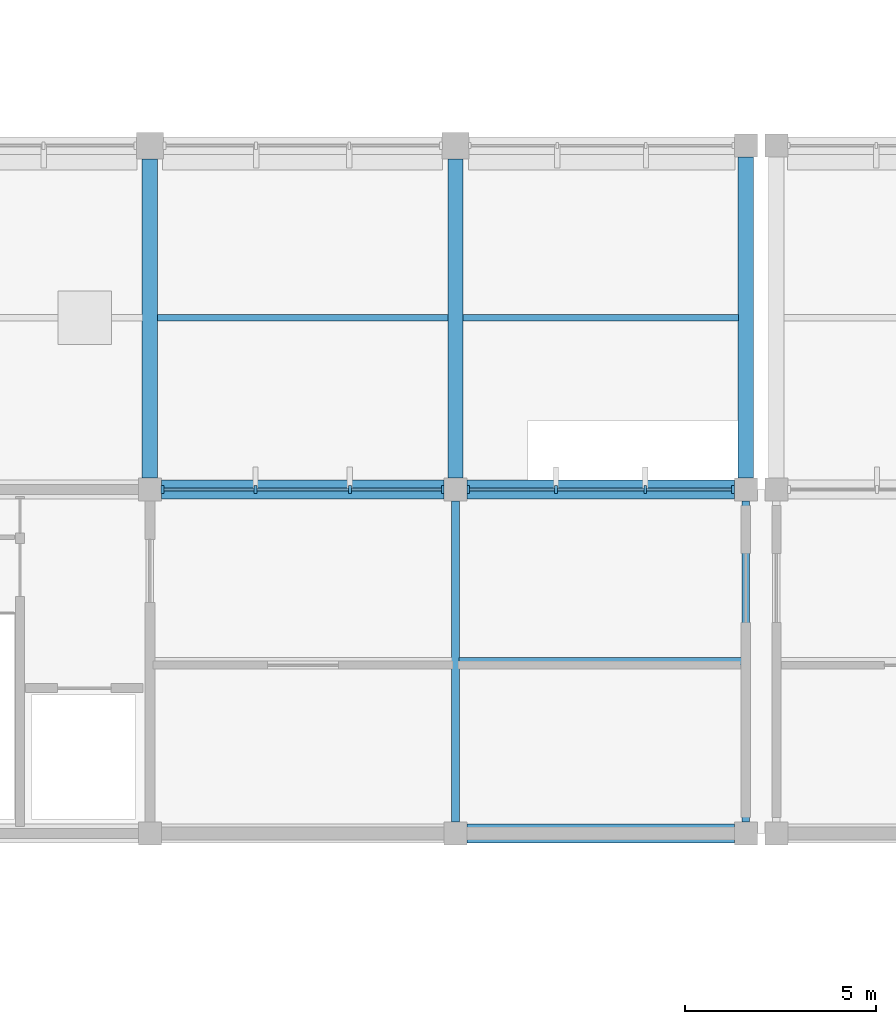
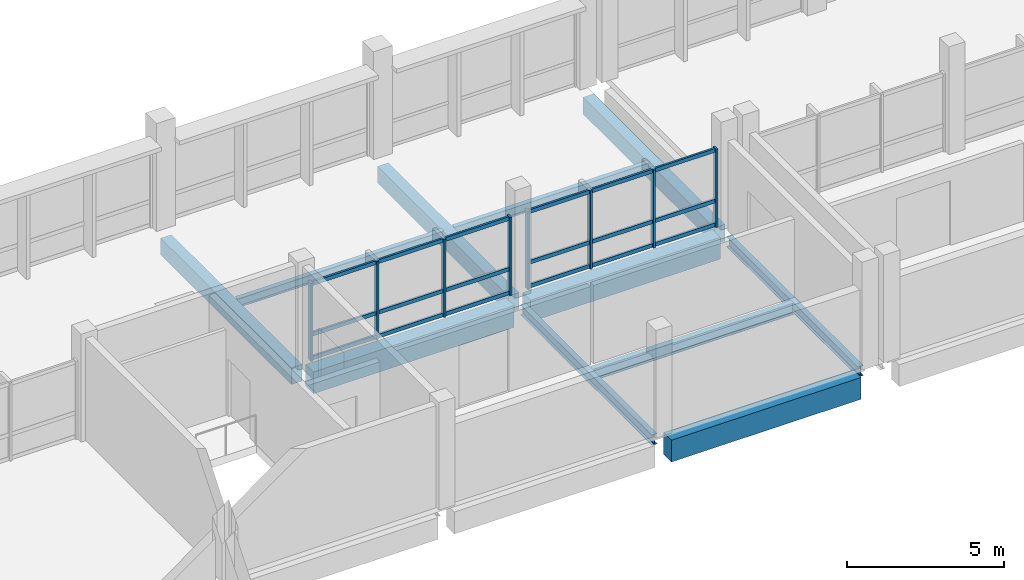
# One storey, part 6 of 70: 26 members, 11 beams, 2 elements without a shape of their own.
"""IFC4 building model written with IfcOpenShell, lengths in metres."""

from ifc_helpers import new_model, si_unit, direction, frame, origin, origin_2d, place, context, subcontext, project, spatial, rectangle, i_section, extrude, material, material_profile, profile_set, type_object, element, aggregate, save


model = new_model("IFC4")

# Units and contexts
model_context = context("Model", 3, precision=1e-05, world=origin(), true_north=direction((0.0, 1.0)))
body_context = subcontext(model_context, "Body", "Model", "MODEL_VIEW")
ifc_project = project(units=[si_unit("LENGTHUNIT", "METRE"), si_unit("AREAUNIT", "SQUARE_METRE"), si_unit("VOLUMEUNIT", "CUBIC_METRE"), si_unit("PLANEANGLEUNIT", "RADIAN"), si_unit("MASSUNIT", "GRAM", prefix="KILO"), si_unit("THERMODYNAMICTEMPERATUREUNIT", "KELVIN"), si_unit("POWERUNIT", "WATT")], contexts=[model_context])

# Site, building, storey
site_placement = place(None, origin())
site = spatial("IfcSite", under=ifc_project, at=site_placement, CompositionType="ELEMENT")
building_placement = place(site_placement, origin())
building = spatial("IfcBuilding", under=site, at=building_placement, Name="Kronsvod Quay Wholesale Market", CompositionType="ELEMENT")
storey_placement = place(building_placement, frame((0.0, 0.0, 9.0)))
storey = spatial("IfcBuildingStorey", under=building, at=storey_placement, Name="L02", CompositionType="ELEMENT", Elevation=9.0)

# Beams
ifc_material_1 = material(Name="Precast concrete C40/50", Category="concrete")
ifc_material_profile_1 = material_profile(ifc_material_1, rectangle(XDim=0.39990234375, YDim=0.64990234375, at=origin_2d()), Name="PCB400x650")
ifc_profile_set_1 = profile_set([ifc_material_profile_1], Name="Precast concrete C40/50")
beam_type_1 = type_object("IfcBeamType", Name="Beam_PCB400x650", PredefinedType="BEAM", material=ifc_profile_set_1)
for number, where, z_axis, x_axis, name in (
    (1, (48.0, 45.300048828125, -0.635009765625), (0.0, 1.0, 0.0), (-1.0, 0.0, 0.0), "BMY-L02-480-450"),
    (2, (56.0, 45.300048828125, -0.635009765625), (0.0, 1.0, 0.0), (-1.0, 0.0, 0.0), "BMY-L02-560-450"),
):
    element("IfcBeam", number, at=place(storey_placement, frame(where, z_axis=z_axis, x_axis=x_axis)), inside=storey, type_object=beam_type_1, Name=name, PredefinedType="BEAM", context=body_context, shape_type="SweptSolid", body=[
        extrude(rectangle(XDim=0.39990234375, YDim=0.64990234375, at=origin_2d()), origin(), (0.0, 0.0, 1.0), 8.349853515625),
    ])
beam_1_placement = place(storey_placement, frame((63.60009765625, 45.300048828125, -0.635009765625), z_axis=(0.0, 1.0, 0.0), x_axis=(-1.0, 0.0, 0.0)))
element("IfcBeam", 3, at=beam_1_placement, inside=storey, type_object=beam_type_1, Name="BMY-L02-636-450", PredefinedType="BEAM", context=body_context, shape_type="SweptSolid", body=[
    extrude(rectangle(XDim=0.39990234375, YDim=0.64990234375, at=origin_2d()), origin(), (0.0, 0.0, 1.0), 8.39990234375),
])
ifc_material_2 = material(Name="Steel S355", Category="steel")
ifc_material_profile_2 = material_profile(ifc_material_2, i_section(OverallWidth=0.199951171875, OverallDepth=0.39990234375, WebThickness=0.008056640625, FlangeThickness=0.012939453125, FilletRadius=0.01611328125, at=origin_2d()), Name="40B2")
ifc_profile_set_2 = profile_set([ifc_material_profile_2], Name="Steel S355")
beam_type_2 = type_object("IfcBeamType", Name="Beam_Steel40B2", PredefinedType="BEAM", material=ifc_profile_set_2)
for number, where, z_axis, x_axis, name in (
    (4, (56.0, 36.300048828125, -0.510009765625), (0.0, 1.0, 0.0), (-1.0, 0.0, 0.0), "BMY-L02-560-360"),
    (5, (63.60009765625, 36.300048828125, -0.510009765625), (0.0, 1.0, 0.0), (-1.0, 0.0, 0.0), "BMY-L02-636-360"),
):
    element("IfcBeam", number, at=place(storey_placement, frame(where, z_axis=z_axis, x_axis=x_axis)), inside=storey, type_object=beam_type_2, Name=name, PredefinedType="BEAM", context=body_context, shape_type="SweptSolid", body=[
        extrude(i_section(OverallWidth=0.199951171875, OverallDepth=0.39990234375, WebThickness=0.008056640625, FlangeThickness=0.012939453125, FilletRadius=0.01611328125, at=origin_2d()), origin(), (0.0, 0.0, 1.0), 8.39990234375),
    ])
ifc_material_3 = material(Name="Steel S355", Category="steel")
ifc_material_profile_3 = material_profile(ifc_material_3, i_section(OverallWidth=0.199951171875, OverallDepth=0.449951171875, WebThickness=0.009033203125, FlangeThickness=0.013916015625, FilletRadius=0.01806640625, at=origin_2d()), Name="45B2")
ifc_profile_set_3 = profile_set([ifc_material_profile_3], Name="Steel S355")
beam_type_3 = type_object("IfcBeamType", Name="Beam_Steel45B2", PredefinedType="BEAM", material=ifc_profile_set_3)
beam_2_placement = place(storey_placement, frame((56.094970703125, 40.5, -0.52490234375), z_axis=(1.0, 0.0, 0.0), x_axis=(0.0, 1.0, 0.0)))
element("IfcBeam", 6, at=beam_2_placement, inside=storey, type_object=beam_type_3, Name="JSTX-L02-560-360", PredefinedType="BEAM", context=body_context, shape_type="SweptSolid", body=[
    extrude(i_section(OverallWidth=0.199951171875, OverallDepth=0.449951171875, WebThickness=0.009033203125, FlangeThickness=0.013916015625, FilletRadius=0.01806640625, at=origin_2d()), origin(), (0.0, 0.0, 1.0), 7.409912109375),
])
ifc_material_4 = material(Name="Precast concrete C40/50", Category="concrete")
ifc_material_profile_4 = material_profile(ifc_material_4, rectangle(XDim=0.5, YDim=0.85009765625, at=origin_2d()), Name="PCB500x850")
ifc_profile_set_4 = profile_set([ifc_material_profile_4], Name="Precast concrete C40/50")
beam_type_4 = type_object("IfcBeamType", Name="Girder_PCB500x850", PredefinedType="T_BEAM", material=ifc_profile_set_4)
beam_3_placement = place(storey_placement, frame((56.300048828125, 36.0, -0.735107421875), z_axis=(1.0, 0.0, 0.0), x_axis=(0.0, 1.0, 0.0)))
element("IfcBeam", 7, at=beam_3_placement, inside=storey, type_object=beam_type_4, Name="BMX-L02-560-360", PredefinedType="T_BEAM", context=body_context, shape_type="SweptSolid", body=[
    extrude(rectangle(XDim=0.5, YDim=0.85009765625, at=origin_2d()), origin(), (0.0, 0.0, 1.0), 7.0),
])
beam_4_placement = place(storey_placement, frame((48.300048828125, 45.0, -0.735107421875), z_axis=(1.0, 0.0, 0.0), x_axis=(0.0, 1.0, 0.0)))
element("IfcBeam", 8, at=beam_4_placement, inside=storey, type_object=beam_type_4, Name="BMX-L02-480-450", PredefinedType="T_BEAM", context=body_context, shape_type="SweptSolid", body=[
    extrude(rectangle(XDim=0.5, YDim=0.85009765625, at=origin_2d()), origin(), (0.0, 0.0, 1.0), 7.39990234375),
])
beam_5_placement = place(storey_placement, frame((56.300048828125, 45.0, -0.735107421875), z_axis=(1.0, 0.0, 0.0), x_axis=(0.0, 1.0, 0.0)))
element("IfcBeam", 9, at=beam_5_placement, inside=storey, type_object=beam_type_4, Name="BMX-L02-560-450", PredefinedType="T_BEAM", context=body_context, shape_type="SweptSolid", body=[
    extrude(rectangle(XDim=0.5, YDim=0.85009765625, at=origin_2d()), origin(), (0.0, 0.0, 1.0), 7.0),
])
ifc_material_5 = material(Name="Steel S355", Category="steel")
ifc_material_profile_5 = material_profile(ifc_material_5, i_section(OverallWidth=0.174072265625, OverallDepth=0.345947265625, WebThickness=0.006103515625, FlangeThickness=0.009033203125, FilletRadius=0.013916015625, at=origin_2d()), Name="35B1")
ifc_profile_set_5 = profile_set([ifc_material_profile_5], Name="Steel S355")
beam_type_5 = type_object("IfcBeamType", Name="Joist_Steel35B1", PredefinedType="JOIST", material=ifc_profile_set_5)
beam_6_placement = place(storey_placement, frame((48.195068359375, 49.5, -0.43310546875), z_axis=(1.0, 0.0, 0.0), x_axis=(0.0, 1.0, 0.0)))
element("IfcBeam", 10, at=beam_6_placement, inside=storey, type_object=beam_type_5, Name="JSTX-L02-480-450", PredefinedType="JOIST", context=body_context, shape_type="SweptSolid", body=[
    extrude(i_section(OverallWidth=0.174072265625, OverallDepth=0.345947265625, WebThickness=0.006103515625, FlangeThickness=0.009033203125, FilletRadius=0.013916015625, at=origin_2d()), origin(), (0.0, 0.0, 1.0), 7.60986328125),
])
beam_7_placement = place(storey_placement, frame((56.195068359375, 49.5, -0.43310546875), z_axis=(1.0, 0.0, 0.0), x_axis=(0.0, 1.0, 0.0)))
element("IfcBeam", 11, at=beam_7_placement, inside=storey, type_object=beam_type_5, Name="JSTX-L02-560-450", PredefinedType="JOIST", context=body_context, shape_type="SweptSolid", body=[
    extrude(i_section(OverallWidth=0.174072265625, OverallDepth=0.345947265625, WebThickness=0.006103515625, FlangeThickness=0.009033203125, FilletRadius=0.013916015625, at=origin_2d()), origin(), (0.0, 0.0, 1.0), 7.2099609375),
])

# Curtain wall, members
ifc_material_6 = material(Name="Thermally broken aluminium and triple low-E glazing", Category="aluminium")
curtain_wall_type_1 = type_object("IfcCurtainWallType", Name="CW_Harbour80x33", PredefinedType="NOTDEFINED", material=ifc_material_6)
curtain_wall_1_placement = place(storey_placement, origin())
curtain_wall_1 = element("IfcCurtainWall", 12, at=curtain_wall_1_placement, inside=storey, type_object=curtain_wall_type_1, Name="CWGX-L02-480-450", PredefinedType="NOTDEFINED")
ifc_material_7 = material(Name="Anodised aluminium", Category="aluminium")
ifc_material_profile_6 = material_profile(ifc_material_7, rectangle(XDim=0.074951171875, YDim=0.199951171875, at=origin_2d()), Name="ALUM75x200")
ifc_profile_set_6 = profile_set([ifc_material_profile_6], Name="Anodised aluminium")
member_type_1 = type_object("IfcMemberType", Name="Mullion_ALU75x200", PredefinedType="MULLION", material=ifc_profile_set_6)
member_1_placement = place(storey_placement, frame((55.66748046875, 45.0, 0.0), z_axis=(0.0, 0.0, 1.0), x_axis=(1.0, 0.0, 0.0)))
member_1 = element("IfcMember", 13, at=member_1_placement, type_object=member_type_1, Name="CWGX-L02-480-450-M1", PredefinedType="MULLION", context=body_context, shape_type="SweptSolid", body=[
    extrude(rectangle(XDim=0.074951171875, YDim=0.199951171875, at=origin_2d()), origin(), (0.0, 0.0, 1.0), 3.050048828125),
])
member_2_placement = place(storey_placement, frame((53.235107421875, 45.0, 0.0), z_axis=(0.0, 0.0, 1.0), x_axis=(1.0, 0.0, 0.0)))
member_2 = element("IfcMember", 14, at=member_2_placement, type_object=member_type_1, Name="CWGX-L02-480-450-M2", PredefinedType="MULLION", context=body_context, shape_type="SweptSolid", body=[
    extrude(rectangle(XDim=0.074951171875, YDim=0.199951171875, at=origin_2d()), origin(), (0.0, 0.0, 1.0), 3.050048828125),
])
member_3_placement = place(storey_placement, frame((50.764892578125, 45.0, 0.0), z_axis=(0.0, 0.0, 1.0), x_axis=(1.0, 0.0, 0.0)))
member_3 = element("IfcMember", 15, at=member_3_placement, type_object=member_type_1, Name="CWGX-L02-480-450-M3", PredefinedType="MULLION", context=body_context, shape_type="SweptSolid", body=[
    extrude(rectangle(XDim=0.074951171875, YDim=0.199951171875, at=origin_2d()), origin(), (0.0, 0.0, 1.0), 3.050048828125),
])
member_4_placement = place(storey_placement, frame((48.33251953125, 45.0, 0.0), z_axis=(0.0, 0.0, 1.0), x_axis=(1.0, 0.0, 0.0)))
member_4 = element("IfcMember", 16, at=member_4_placement, type_object=member_type_1, Name="CWGX-L02-480-450-M4", PredefinedType="MULLION", context=body_context, shape_type="SweptSolid", body=[
    extrude(rectangle(XDim=0.074951171875, YDim=0.199951171875, at=origin_2d()), origin(), (0.0, 0.0, 1.0), 3.050048828125),
])

ifc_material_8 = material(Name="Thermally broken aluminium and triple low-E glazing", Category="aluminium")
curtain_wall_type_2 = type_object("IfcCurtainWallType", Name="CW_Harbour76x33", PredefinedType="NOTDEFINED", material=ifc_material_8)
curtain_wall_2_placement = place(storey_placement, origin())
curtain_wall_2 = element("IfcCurtainWall", 17, at=curtain_wall_2_placement, inside=storey, type_object=curtain_wall_type_2, Name="CWGX-L02-560-450", PredefinedType="NOTDEFINED")
member_5_placement = place(storey_placement, frame((63.267578125, 45.0, 0.0), z_axis=(0.0, 0.0, 1.0), x_axis=(1.0, 0.0, 0.0)))
member_5 = element("IfcMember", 18, at=member_5_placement, type_object=member_type_1, Name="CWGX-L02-560-450-M1", PredefinedType="MULLION", context=body_context, shape_type="SweptSolid", body=[
    extrude(rectangle(XDim=0.074951171875, YDim=0.199951171875, at=origin_2d()), origin(), (0.0, 0.0, 1.0), 3.050048828125),
])
member_6_placement = place(storey_placement, frame((60.96826171875, 45.0, 0.0), z_axis=(0.0, 0.0, 1.0), x_axis=(1.0, 0.0, 0.0)))
member_6 = element("IfcMember", 19, at=member_6_placement, type_object=member_type_1, Name="CWGX-L02-560-450-M2", PredefinedType="MULLION", context=body_context, shape_type="SweptSolid", body=[
    extrude(rectangle(XDim=0.074951171875, YDim=0.199951171875, at=origin_2d()), origin(), (0.0, 0.0, 1.0), 3.050048828125),
])
member_7_placement = place(storey_placement, frame((58.631591796875, 45.0, 0.0), z_axis=(0.0, 0.0, 1.0), x_axis=(1.0, 0.0, 0.0)))
member_7 = element("IfcMember", 20, at=member_7_placement, type_object=member_type_1, Name="CWGX-L02-560-450-M3", PredefinedType="MULLION", context=body_context, shape_type="SweptSolid", body=[
    extrude(rectangle(XDim=0.074951171875, YDim=0.199951171875, at=origin_2d()), origin(), (0.0, 0.0, 1.0), 3.050048828125),
])
member_8_placement = place(storey_placement, frame((56.33251953125, 45.0, 0.0), z_axis=(0.0, 0.0, 1.0), x_axis=(1.0, 0.0, 0.0)))
member_8 = element("IfcMember", 21, at=member_8_placement, type_object=member_type_1, Name="CWGX-L02-560-450-M4", PredefinedType="MULLION", context=body_context, shape_type="SweptSolid", body=[
    extrude(rectangle(XDim=0.074951171875, YDim=0.199951171875, at=origin_2d()), origin(), (0.0, 0.0, 1.0), 3.050048828125),
])

# Member
ifc_material_9 = material(Name="Anodised aluminium", Category="aluminium")
ifc_material_profile_7 = material_profile(ifc_material_9, rectangle(XDim=0.074951171875, YDim=0.14990234375, at=origin_2d()), Name="ALUT75x150")
ifc_profile_set_7 = profile_set([ifc_material_profile_7], Name="Anodised aluminium")
member_type_2 = type_object("IfcMemberType", Name="Transom_ALU75x150", PredefinedType="USERDEFINED", material=ifc_profile_set_7)
member_9_placement = place(storey_placement, frame((55.6298828125, 45.0, 0.074951171875), z_axis=(-1.0, 0.0, 0.0), x_axis=(0.0, -1.0, 0.0)))
member_9 = element("IfcMember", 22, at=member_9_placement, type_object=member_type_2, Name="CWGX-L02-480-450-T1B1", ObjectType="TRANSOM", PredefinedType="USERDEFINED", context=body_context, shape_type="SweptSolid", body=[
    extrude(rectangle(XDim=0.074951171875, YDim=0.14990234375, at=origin_2d()), origin(), (0.0, 0.0, 1.0), 2.357421875),
])

member_10_placement = place(storey_placement, frame((53.197509765625, 45.0, 0.074951171875), z_axis=(-1.0, 0.0, 0.0), x_axis=(0.0, -1.0, 0.0)))
member_10 = element("IfcMember", 23, at=member_10_placement, type_object=member_type_2, Name="CWGX-L02-480-450-T1B2", ObjectType="TRANSOM", PredefinedType="USERDEFINED", context=body_context, shape_type="SweptSolid", body=[
    extrude(rectangle(XDim=0.074951171875, YDim=0.14990234375, at=origin_2d()), origin(), (0.0, 0.0, 1.0), 2.39501953125),
])

member_11_placement = place(storey_placement, frame((50.7275390625, 45.0, 0.074951171875), z_axis=(-1.0, 0.0, 0.0), x_axis=(0.0, -1.0, 0.0)))
member_11 = element("IfcMember", 24, at=member_11_placement, type_object=member_type_2, Name="CWGX-L02-480-450-T1B3", ObjectType="TRANSOM", PredefinedType="USERDEFINED", context=body_context, shape_type="SweptSolid", body=[
    extrude(rectangle(XDim=0.074951171875, YDim=0.14990234375, at=origin_2d()), origin(), (0.0, 0.0, 1.0), 2.357421875),
])

member_12_placement = place(storey_placement, frame((55.6298828125, 45.0, 1.0), z_axis=(-1.0, 0.0, 0.0), x_axis=(0.0, -1.0, 0.0)))
member_12 = element("IfcMember", 25, at=member_12_placement, type_object=member_type_2, Name="CWGX-L02-480-450-T2B1", ObjectType="TRANSOM", PredefinedType="USERDEFINED", context=body_context, shape_type="SweptSolid", body=[
    extrude(rectangle(XDim=0.074951171875, YDim=0.14990234375, at=origin_2d()), origin(), (0.0, 0.0, 1.0), 2.357421875),
])

member_13_placement = place(storey_placement, frame((53.197509765625, 45.0, 1.0), z_axis=(-1.0, 0.0, 0.0), x_axis=(0.0, -1.0, 0.0)))
member_13 = element("IfcMember", 26, at=member_13_placement, type_object=member_type_2, Name="CWGX-L02-480-450-T2B2", ObjectType="TRANSOM", PredefinedType="USERDEFINED", context=body_context, shape_type="SweptSolid", body=[
    extrude(rectangle(XDim=0.074951171875, YDim=0.14990234375, at=origin_2d()), origin(), (0.0, 0.0, 1.0), 2.39501953125),
])

member_14_placement = place(storey_placement, frame((50.7275390625, 45.0, 1.0), z_axis=(-1.0, 0.0, 0.0), x_axis=(0.0, -1.0, 0.0)))
member_14 = element("IfcMember", 27, at=member_14_placement, type_object=member_type_2, Name="CWGX-L02-480-450-T2B3", ObjectType="TRANSOM", PredefinedType="USERDEFINED", context=body_context, shape_type="SweptSolid", body=[
    extrude(rectangle(XDim=0.074951171875, YDim=0.14990234375, at=origin_2d()), origin(), (0.0, 0.0, 1.0), 2.357421875),
])

member_15_placement = place(storey_placement, frame((55.6298828125, 45.0, 2.97509765625), z_axis=(-1.0, 0.0, 0.0), x_axis=(0.0, -1.0, 0.0)))
member_15 = element("IfcMember", 28, at=member_15_placement, type_object=member_type_2, Name="CWGX-L02-480-450-T3B1", ObjectType="TRANSOM", PredefinedType="USERDEFINED", context=body_context, shape_type="SweptSolid", body=[
    extrude(rectangle(XDim=0.074951171875, YDim=0.14990234375, at=origin_2d()), origin(), (0.0, 0.0, 1.0), 2.357421875),
])

member_16_placement = place(storey_placement, frame((53.197509765625, 45.0, 2.97509765625), z_axis=(-1.0, 0.0, 0.0), x_axis=(0.0, -1.0, 0.0)))
member_16 = element("IfcMember", 29, at=member_16_placement, type_object=member_type_2, Name="CWGX-L02-480-450-T3B2", ObjectType="TRANSOM", PredefinedType="USERDEFINED", context=body_context, shape_type="SweptSolid", body=[
    extrude(rectangle(XDim=0.074951171875, YDim=0.14990234375, at=origin_2d()), origin(), (0.0, 0.0, 1.0), 2.39501953125),
])

member_17_placement = place(storey_placement, frame((50.7275390625, 45.0, 2.97509765625), z_axis=(-1.0, 0.0, 0.0), x_axis=(0.0, -1.0, 0.0)))
member_17 = element("IfcMember", 30, at=member_17_placement, type_object=member_type_2, Name="CWGX-L02-480-450-T3B3", ObjectType="TRANSOM", PredefinedType="USERDEFINED", context=body_context, shape_type="SweptSolid", body=[
    extrude(rectangle(XDim=0.074951171875, YDim=0.14990234375, at=origin_2d()), origin(), (0.0, 0.0, 1.0), 2.357421875),
])

aggregate(curtain_wall_1, [member_1, member_2, member_3, member_4, member_9, member_10, member_11, member_12, member_13, member_14, member_15, member_16, member_17])

member_18_placement = place(storey_placement, frame((63.22998046875, 45.0, 0.074951171875), z_axis=(-1.0, 0.0, 0.0), x_axis=(0.0, -1.0, 0.0)))
member_18 = element("IfcMember", 31, at=member_18_placement, type_object=member_type_2, Name="CWGX-L02-560-450-T1B1", ObjectType="TRANSOM", PredefinedType="USERDEFINED", context=body_context, shape_type="SweptSolid", body=[
    extrude(rectangle(XDim=0.074951171875, YDim=0.14990234375, at=origin_2d()), origin(), (0.0, 0.0, 1.0), 2.22412109375),
])

member_19_placement = place(storey_placement, frame((60.930908203125, 45.0, 0.074951171875), z_axis=(-1.0, 0.0, 0.0), x_axis=(0.0, -1.0, 0.0)))
member_19 = element("IfcMember", 32, at=member_19_placement, type_object=member_type_2, Name="CWGX-L02-560-450-T1B2", ObjectType="TRANSOM", PredefinedType="USERDEFINED", context=body_context, shape_type="SweptSolid", body=[
    extrude(rectangle(XDim=0.074951171875, YDim=0.14990234375, at=origin_2d()), origin(), (0.0, 0.0, 1.0), 2.26171875),
])

member_20_placement = place(storey_placement, frame((58.59423828125, 45.0, 0.074951171875), z_axis=(-1.0, 0.0, 0.0), x_axis=(0.0, -1.0, 0.0)))
member_20 = element("IfcMember", 33, at=member_20_placement, type_object=member_type_2, Name="CWGX-L02-560-450-T1B3", ObjectType="TRANSOM", PredefinedType="USERDEFINED", context=body_context, shape_type="SweptSolid", body=[
    extrude(rectangle(XDim=0.074951171875, YDim=0.14990234375, at=origin_2d()), origin(), (0.0, 0.0, 1.0), 2.22412109375),
])

member_21_placement = place(storey_placement, frame((63.22998046875, 45.0, 1.0), z_axis=(-1.0, 0.0, 0.0), x_axis=(0.0, -1.0, 0.0)))
member_21 = element("IfcMember", 34, at=member_21_placement, type_object=member_type_2, Name="CWGX-L02-560-450-T2B1", ObjectType="TRANSOM", PredefinedType="USERDEFINED", context=body_context, shape_type="SweptSolid", body=[
    extrude(rectangle(XDim=0.074951171875, YDim=0.14990234375, at=origin_2d()), origin(), (0.0, 0.0, 1.0), 2.22412109375),
])

member_22_placement = place(storey_placement, frame((60.930908203125, 45.0, 1.0), z_axis=(-1.0, 0.0, 0.0), x_axis=(0.0, -1.0, 0.0)))
member_22 = element("IfcMember", 35, at=member_22_placement, type_object=member_type_2, Name="CWGX-L02-560-450-T2B2", ObjectType="TRANSOM", PredefinedType="USERDEFINED", context=body_context, shape_type="SweptSolid", body=[
    extrude(rectangle(XDim=0.074951171875, YDim=0.14990234375, at=origin_2d()), origin(), (0.0, 0.0, 1.0), 2.26171875),
])

member_23_placement = place(storey_placement, frame((58.59423828125, 45.0, 1.0), z_axis=(-1.0, 0.0, 0.0), x_axis=(0.0, -1.0, 0.0)))
member_23 = element("IfcMember", 36, at=member_23_placement, type_object=member_type_2, Name="CWGX-L02-560-450-T2B3", ObjectType="TRANSOM", PredefinedType="USERDEFINED", context=body_context, shape_type="SweptSolid", body=[
    extrude(rectangle(XDim=0.074951171875, YDim=0.14990234375, at=origin_2d()), origin(), (0.0, 0.0, 1.0), 2.22412109375),
])

member_24_placement = place(storey_placement, frame((63.22998046875, 45.0, 2.97509765625), z_axis=(-1.0, 0.0, 0.0), x_axis=(0.0, -1.0, 0.0)))
member_24 = element("IfcMember", 37, at=member_24_placement, type_object=member_type_2, Name="CWGX-L02-560-450-T3B1", ObjectType="TRANSOM", PredefinedType="USERDEFINED", context=body_context, shape_type="SweptSolid", body=[
    extrude(rectangle(XDim=0.074951171875, YDim=0.14990234375, at=origin_2d()), origin(), (0.0, 0.0, 1.0), 2.22412109375),
])

member_25_placement = place(storey_placement, frame((60.930908203125, 45.0, 2.97509765625), z_axis=(-1.0, 0.0, 0.0), x_axis=(0.0, -1.0, 0.0)))
member_25 = element("IfcMember", 38, at=member_25_placement, type_object=member_type_2, Name="CWGX-L02-560-450-T3B2", ObjectType="TRANSOM", PredefinedType="USERDEFINED", context=body_context, shape_type="SweptSolid", body=[
    extrude(rectangle(XDim=0.074951171875, YDim=0.14990234375, at=origin_2d()), origin(), (0.0, 0.0, 1.0), 2.26171875),
])

member_26_placement = place(storey_placement, frame((58.59423828125, 45.0, 2.97509765625), z_axis=(-1.0, 0.0, 0.0), x_axis=(0.0, -1.0, 0.0)))
member_26 = element("IfcMember", 39, at=member_26_placement, type_object=member_type_2, Name="CWGX-L02-560-450-T3B3", ObjectType="TRANSOM", PredefinedType="USERDEFINED", context=body_context, shape_type="SweptSolid", body=[
    extrude(rectangle(XDim=0.074951171875, YDim=0.14990234375, at=origin_2d()), origin(), (0.0, 0.0, 1.0), 2.22412109375),
])

aggregate(curtain_wall_2, [member_5, member_6, member_7, member_8, member_18, member_19, member_20, member_21, member_22, member_23, member_24, member_25, member_26])

save(model, "model.ifc")
